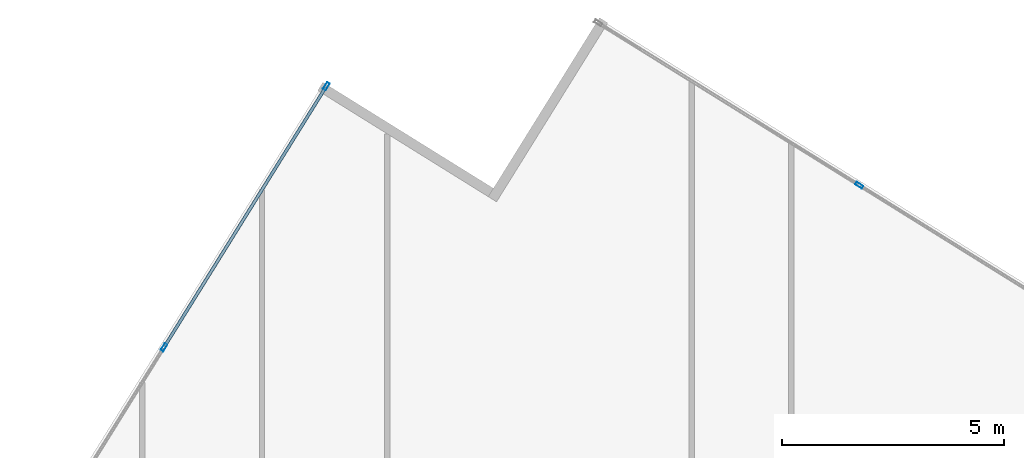
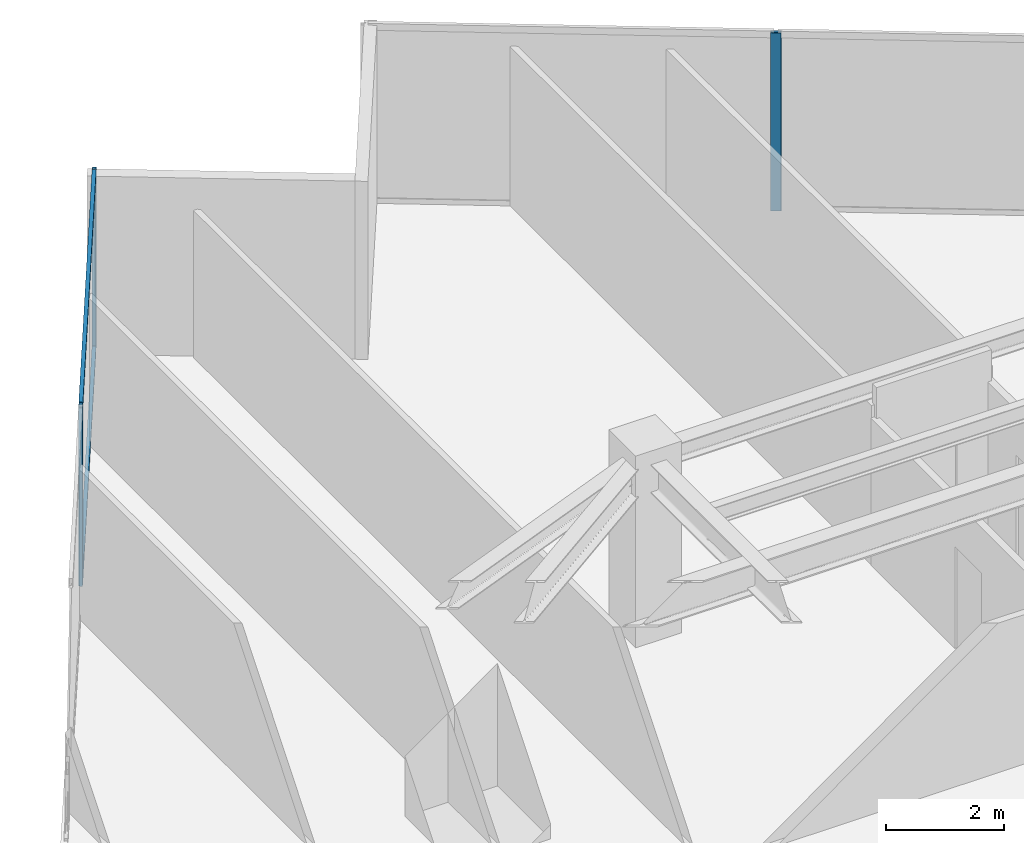
# One storey, part 15 of 26: 5 members, 2 elements without a shape of their own.
"""IFC4 building model written with IfcOpenShell, lengths in metres."""

import ifcopenshell
import ifcopenshell.guid

model = None  # the IFC model being written
_history = None  # IfcOwnerHistory: only IFC2X3 demands one
_inside = {}  # id of a spatial element -> (the spatial element, [elements in it])
_under = {}  # id of a project, library or spatial element -> (it, [spatial elements below it])
_declared = {}  # id of a project -> (the project, [libraries it declares])
_typed = {}  # id of a type object -> (the type object, [elements of that type])
_made_of = {}  # id of a material, layer set ... -> (it, [elements and type objects made of it])


def new_model(schema):
    """Start an empty IFC model of exactly this schema.

    Asked for "IFC4X3", IfcOpenShell would pick the latest addendum, in which some entities
    have other attributes; the version numbers below select the first issue.
    IFC2X3 requires an IfcOwnerHistory on every rooted entity: one is made here for all.
    """
    global model, _history
    if schema == "IFC4X3":
        model = ifcopenshell.file(schema_version=(4, 3, 0, 0))
    else:
        model = ifcopenshell.file(schema=schema)
    _inside.clear()
    _under.clear()
    _declared.clear()
    _typed.clear()
    _made_of.clear()
    _history = None
    if model.schema == "IFC2X3":
        org = make("IfcOrganization", Name="unknown")
        user = make(
            "IfcPersonAndOrganization",
            ThePerson=make("IfcPerson", FamilyName="unknown"),
            TheOrganization=org,
        )
        app = make(
            "IfcApplication",
            ApplicationDeveloper=org,
            Version="unknown",
            ApplicationFullName="unknown",
            ApplicationIdentifier="unknown",
        )
        _history = make(
            "IfcOwnerHistory",
            OwningUser=user,
            OwningApplication=app,
            ChangeAction="ADDED",
            CreationDate=0,
        )
    return model


def make(cls, **values):
    """One entity of the class cls with the attributes given. An attribute that is None is left unset."""
    return model.create_entity(
        cls, **{name: value for name, value in values.items() if value is not None}
    )


def rooted(cls, **values):
    """An entity with a GlobalId (a new one), such as an element, a storey or a relation."""
    return make(cls, GlobalId=ifcopenshell.guid.new(), OwnerHistory=_history, **values)


def si_unit(unit_type, name, prefix=None):
    """IfcSIUnit, for example si_unit("LENGTHUNIT", "METRE", prefix="MILLI")."""
    return make("IfcSIUnit", UnitType=unit_type, Prefix=prefix, Name=name)


def assignment(units):
    """IfcUnitAssignment: the units of a project."""
    return None if units is None else make("IfcUnitAssignment", Units=units)


def point(xyz):
    """IfcCartesianPoint."""
    return None if xyz is None else make("IfcCartesianPoint", Coordinates=xyz)


def direction(xyz):
    """IfcDirection."""
    return None if xyz is None else make("IfcDirection", DirectionRatios=xyz)


def frame(location, z_axis=None, x_axis=None):
    """IfcAxis2Placement3D, a coordinate frame: its origin and axes. An axis left out is left unset."""
    return make(
        "IfcAxis2Placement3D",
        Location=point(location),
        Axis=direction(z_axis),
        RefDirection=direction(x_axis),
    )


def frame_2d(location, x_axis=None):
    """IfcAxis2Placement2D, a coordinate frame in the plane: its origin and x axis."""
    return make(
        "IfcAxis2Placement2D", Location=point(location), RefDirection=direction(x_axis)
    )


def origin():
    """The frame at (0, 0, 0) with its axes left unset."""
    return frame((0.0, 0.0, 0.0))


def origin_2d():
    """The frame at (0, 0) in the plane with its x axis left unset."""
    return frame_2d((0.0, 0.0))


def place(relative_to, where):
    """IfcLocalPlacement: puts the frame where relative to a parent placement (None: the world)."""
    return make(
        "IfcLocalPlacement", PlacementRelTo=relative_to, RelativePlacement=where
    )


def context(
    kind, dimensions, precision=None, world=None, true_north=None, identifier=None
):
    """IfcGeometricRepresentationContext, for example the 3D "Model" context."""
    return make(
        "IfcGeometricRepresentationContext",
        ContextIdentifier=identifier,
        ContextType=kind,
        CoordinateSpaceDimension=dimensions,
        Precision=precision,
        WorldCoordinateSystem=world,
        TrueNorth=true_north,
    )


def subcontext(parent, identifier, kind, view, scale=None):
    """IfcGeometricRepresentationSubContext, for example "Body" below "Model"."""
    return make(
        "IfcGeometricRepresentationSubContext",
        ContextIdentifier=identifier,
        ContextType=kind,
        ParentContext=parent,
        TargetScale=scale,
        TargetView=view,
    )


def project(units=None, contexts=None):
    """IfcProject with its units and contexts."""
    return rooted(
        "IfcProject",
        Name="project",
        RepresentationContexts=contexts,
        UnitsInContext=assignment(units),
    )


def spatial(cls, under=None, at=None, **own):
    """A site, building, storey or space (cls), placed at a placement, below another one or the project."""
    s = rooted(cls, ObjectPlacement=at, **own)
    if under is not None:
        _under.setdefault(under.id(), (under, []))[1].append(s)
    return s


def profile(cls, at=None, kind="AREA", **sizes):
    """A parametric profile (cls). Its sizes go by their IFC names, for example OverallWidth=200.0."""
    return make(cls, ProfileType=kind, Position=at, **sizes)


def hollow_rectangle(**sizes):
    """IfcRectangleHollowProfileDef."""
    return profile("IfcRectangleHollowProfileDef", **sizes)


def extrude(swept, where, along, depth):
    """IfcExtrudedAreaSolid: the profile swept, set in the frame where, extruded along a direction by depth."""
    return make(
        "IfcExtrudedAreaSolid",
        SweptArea=swept,
        Position=where,
        ExtrudedDirection=direction(along),
        Depth=depth,
    )


def shape(context_of_items, identifier, shape_type, items):
    """IfcShapeRepresentation: the items that make up one representation, for example the "Body"."""
    return make(
        "IfcShapeRepresentation",
        ContextOfItems=context_of_items,
        RepresentationIdentifier=identifier,
        RepresentationType=shape_type,
        Items=items,
    )


def source(mapping_origin, context_of_items, identifier, shape_type, items):
    """IfcRepresentationMap: a shape defined once, which mapped items show again and again."""
    return make(
        "IfcRepresentationMap",
        MappingOrigin=mapping_origin,
        MappedRepresentation=shape(context_of_items, identifier, shape_type, items),
    )


def transform(
    local_origin,
    x_axis=None,
    y_axis=None,
    z_axis=None,
    scale=None,
    scale2=None,
    scale3=None,
    uniform=True,
):
    """IfcCartesianTransformationOperator3D, or its non-uniform kind. x_axis, y_axis, z_axis: its Axis1, 2, 3."""
    if uniform:
        return make(
            "IfcCartesianTransformationOperator3D",
            Axis1=direction(x_axis),
            Axis2=direction(y_axis),
            LocalOrigin=point(local_origin),
            Scale=scale,
            Axis3=direction(z_axis),
        )
    return make(
        "IfcCartesianTransformationOperator3DnonUniform",
        Axis1=direction(x_axis),
        Axis2=direction(y_axis),
        LocalOrigin=point(local_origin),
        Scale=scale,
        Axis3=direction(z_axis),
        Scale2=scale2,
        Scale3=scale3,
    )


def mapped(mapping_source, mapping_target):
    """IfcMappedItem: shows the shape of a source again, moved by a transform."""
    return make(
        "IfcMappedItem", MappingSource=mapping_source, MappingTarget=mapping_target
    )


def material(Name=None, Category=None):
    """IfcMaterial."""
    return make("IfcMaterial", Name=Name, Category=Category)


def material_profile(
    of_material, cross_section, Name=None, Category=None, Priority=None
):
    """IfcMaterialProfile: a cross section and its material."""
    return make(
        "IfcMaterialProfile",
        Name=Name,
        Material=of_material,
        Profile=cross_section,
        Priority=Priority,
        Category=Category,
    )


def profile_set(profiles, Name=None, composite=None):
    """IfcMaterialProfileSet."""
    return make(
        "IfcMaterialProfileSet",
        Name=Name,
        MaterialProfiles=profiles,
        CompositeProfile=composite,
    )


def made_of(thing, what):
    """Note that an element or type object is made of a material, layer set ...; save() writes the relation."""
    if what is not None:
        _made_of.setdefault(what.id(), (what, []))[1].append(thing)
    return thing


def type_object(cls, material=None, **own):
    """A type object (cls), such as IfcWallType, which elements share."""
    return made_of(rooted(cls, **own), material)


def type_shapes(of_type, sources):
    """Give a type object the sources (RepresentationMaps) that its elements show as mapped items."""
    of_type.RepresentationMaps = sources


def element(
    cls,
    number,
    at=None,
    inside=None,
    cuts=None,
    type_object=None,
    material=None,
    context=None,
    identifier="Body",
    shape_type=None,
    held_by="IfcProductDefinitionShape",
    body=None,
    shapes=None,
    **own,
):
    """One element of the class cls, such as IfcWall. Its Tag is "e" and its number.

    at: its placement. inside: the storey or other place that contains it. cuts: it is an
    opening in that element (IfcRelVoidsElement). A single representation is given by context,
    identifier, shape_type and body (its items); several are given by shapes. held_by: the class
    of the entity that holds the representations. save() writes the other relations.
    """
    e = rooted(cls, Tag="e%d" % number, ObjectPlacement=at, **own)
    if body is not None:
        shapes = [shape(context, identifier, shape_type, body)]
    if shapes is not None:
        e.Representation = make(held_by, Representations=shapes)
    if inside is not None:
        _inside.setdefault(inside.id(), (inside, []))[1].append(e)
    if cuts is not None:
        rooted(
            "IfcRelVoidsElement", RelatingBuildingElement=cuts, RelatedOpeningElement=e
        )
    if type_object is not None:
        _typed.setdefault(type_object.id(), (type_object, []))[1].append(e)
    return made_of(e, material)


def aggregate(whole, parts):
    """IfcRelAggregates: a whole, such as a stair, and the parts it consists of."""
    return rooted("IfcRelAggregates", RelatingObject=whole, RelatedObjects=parts)


def save(model, path):
    """Write the relations noted so far, then the file.

    IfcRelAggregates (storeys below a building ...), IfcRelContainedInSpatialStructure (elements
    in a storey), IfcRelDefinesByType, IfcRelAssociatesMaterial and IfcRelDeclares: one each for
    every whole, place, type object, material and project.
    """
    for whole, parts in _under.values():
        aggregate(whole, parts)
    for where, things in _inside.values():
        rooted(
            "IfcRelContainedInSpatialStructure",
            RelatedElements=things,
            RelatingStructure=where,
        )
    for kind, things in _typed.values():
        rooted("IfcRelDefinesByType", RelatedObjects=things, RelatingType=kind)
    for what, things in _made_of.values():
        rooted("IfcRelAssociatesMaterial", RelatedObjects=things, RelatingMaterial=what)
    for by, libraries in _declared.values():
        rooted("IfcRelDeclares", RelatingContext=by, RelatedDefinitions=libraries)
    model.write(path)


model = new_model("IFC4")

# Units and contexts
model_context = context("Model", 3, precision=1e-05, world=origin(), true_north=direction((0.0, 1.0)))
body_context = subcontext(model_context, "Body", "Model", "MODEL_VIEW")
ifc_project = project(units=[si_unit("LENGTHUNIT", "METRE"), si_unit("AREAUNIT", "SQUARE_METRE"), si_unit("VOLUMEUNIT", "CUBIC_METRE"), si_unit("PLANEANGLEUNIT", "RADIAN"), si_unit("MASSUNIT", "GRAM", prefix="KILO")], contexts=[model_context])

# Site, building, storey
site_placement = place(None, origin())
site = spatial("IfcSite", under=ifc_project, at=site_placement, CompositionType="ELEMENT")
building_placement = place(site_placement, origin())
building = spatial("IfcBuilding", under=site, at=building_placement, Name="Krantzveldt Concourse Tower", CompositionType="ELEMENT")
storey_placement = place(building_placement, frame((0.0, 0.0, 173.85009765625)))
storey = spatial("IfcBuildingStorey", under=building, at=storey_placement, Name="L42", CompositionType="ELEMENT", Elevation=173.85009765625)

# Curtain wall, members
ifc_material = material(Name="Anodised aluminium 6063-T6", Category="aluminium")
curtain_wall_type = type_object("IfcCurtainWallType", Name="CW3", PredefinedType="USERDEFINED", material=ifc_material)
curtain_wall_1_placement = place(storey_placement, origin())
curtain_wall_1 = element("IfcCurtainWall", 1, at=curtain_wall_1_placement, inside=storey, type_object=curtain_wall_type, Name="CW-L42-F01", ObjectType="UNITISED CURTAIN WALL", PredefinedType="USERDEFINED")
ifc_material_profile_1 = material_profile(ifc_material, hollow_rectangle(XDim=0.070068359375, YDim=0.179931640625, WallThickness=0.0048828125, at=origin_2d()), Name="Anodised aluminium 6063-T6", Category="aluminium")
ifc_profile_set_1 = profile_set([ifc_material_profile_1], Name="Anodised aluminium 6063-T6 - ALU-MULL 180x70x5")
member_type_1 = type_object("IfcMemberType", Name="CW-MUL-180", PredefinedType="MULLION", material=ifc_profile_set_1)
shared_shape_1 = source(origin(), body_context, "Body", "SweptSolid", [
    extrude(hollow_rectangle(XDim=0.070068359375, YDim=0.179931640625, WallThickness=0.0048828125, at=origin_2d()), origin(), (0.0, 0.0, 1.0), 3.669921875),
])
type_shapes(member_type_1, [shared_shape_1])
member_1_placement = place(storey_placement, frame((26.648681640625, 52.963623046875, 0.0), z_axis=(0.0, 0.0, 1.0), x_axis=(0.84920214961, -0.528067901977, 0.0)))
member_1 = element("IfcMember", 2, at=member_1_placement, type_object=member_type_1, Name="CW-Z34 mullion 1", PredefinedType="MULLION", context=body_context, shape_type="MappedRepresentation", body=[
    mapped(shared_shape_1, transform((0.0, 0.0, 0.0), x_axis=(1.0, 0.0, 0.0), y_axis=(0.0, 1.0, 0.0), z_axis=(0.0, 0.0, 1.0), scale=1.0)),
])
member_2_placement = place(storey_placement, frame((22.991943359375, 47.082763671875, 0.0), z_axis=(0.0, 0.0, 1.0), x_axis=(0.84920214961, -0.528067901977, 0.0)))
member_2 = element("IfcMember", 3, at=member_2_placement, type_object=member_type_1, Name="CW-Z34 mullion 2", PredefinedType="MULLION", context=body_context, shape_type="MappedRepresentation", body=[
    mapped(shared_shape_1, transform((0.0, 0.0, 0.0), x_axis=(1.0, 0.0, 0.0), y_axis=(0.0, 1.0, 0.0), z_axis=(0.0, 0.0, 1.0), scale=1.0)),
])

# Curtain wall, member
curtain_wall_2_placement = place(storey_placement, origin())
curtain_wall_2 = element("IfcCurtainWall", 4, at=curtain_wall_2_placement, inside=storey, type_object=curtain_wall_type, Name="CW-L42-F10", ObjectType="UNITISED CURTAIN WALL", PredefinedType="USERDEFINED")
member_3_placement = place(storey_placement, frame((38.6513671875, 50.734130859375, 0.0), z_axis=(0.0, 0.0, 1.0), x_axis=(-0.528067901977, -0.84920214961, 0.0)))
member_3 = element("IfcMember", 5, at=member_3_placement, type_object=member_type_1, Name="CW-Z34 mullion 5", PredefinedType="MULLION", context=body_context, shape_type="MappedRepresentation", body=[
    mapped(shared_shape_1, transform((0.0, 0.0, 0.0), x_axis=(1.0, 0.0, 0.0), y_axis=(0.0, 1.0, 0.0), z_axis=(0.0, 0.0, 1.0), scale=1.0)),
])
aggregate(curtain_wall_2, [member_3])

# Member
ifc_material_profile_2 = material_profile(ifc_material, hollow_rectangle(XDim=0.070068359375, YDim=0.139892578125, WallThickness=0.0048828125, at=origin_2d()), Name="Anodised aluminium 6063-T6", Category="aluminium")
ifc_profile_set_2 = profile_set([ifc_material_profile_2], Name="Anodised aluminium 6063-T6 - ALU-TRAN 140x70x5")
member_type_2 = type_object("IfcMemberType", Name="CW-TRN-150", PredefinedType="USERDEFINED", material=ifc_profile_set_2)
shared_shape_2 = source(origin(), body_context, "Body", "SweptSolid", [
    extrude(hollow_rectangle(XDim=0.070068359375, YDim=0.139892578125, WallThickness=0.0048828125, at=origin_2d()), origin(), (0.0, 0.0, 1.0), 6.85498046875),
])
type_shapes(member_type_2, [shared_shape_2])
member_4_placement = place(storey_placement, frame((26.63037109375, 52.933837890625, 0.034912109375), z_axis=(-0.52806394654, -0.849204609246, 0.0), x_axis=(0.849204609246, -0.52806394654, 0.0)))
member_4 = element("IfcMember", 6, at=member_4_placement, type_object=member_type_2, Name="CW-Z34 transom 1.1", ObjectType="TRANSOM", PredefinedType="USERDEFINED", context=body_context, shape_type="MappedRepresentation", body=[
    mapped(shared_shape_2, transform((0.0, 0.0, 0.0), x_axis=(1.0, 0.0, 0.0), y_axis=(0.0, 1.0, 0.0), z_axis=(0.0, 0.0, 1.0), scale=1.0)),
])

member_5_placement = place(storey_placement, frame((26.63037109375, 52.933837890625, 3.635009765625), z_axis=(-0.52806394654, -0.849204609246, 0.0), x_axis=(0.849204609246, -0.52806394654, 0.0)))
member_5 = element("IfcMember", 7, at=member_5_placement, type_object=member_type_2, Name="CW-Z34 transom 1.2", ObjectType="TRANSOM", PredefinedType="USERDEFINED", context=body_context, shape_type="MappedRepresentation", body=[
    mapped(shared_shape_2, transform((0.0, 0.0, 0.0), x_axis=(1.0, 0.0, 0.0), y_axis=(0.0, 1.0, 0.0), z_axis=(0.0, 0.0, 1.0), scale=1.0)),
])

aggregate(curtain_wall_1, [member_1, member_2, member_4, member_5])

save(model, "model.ifc")
